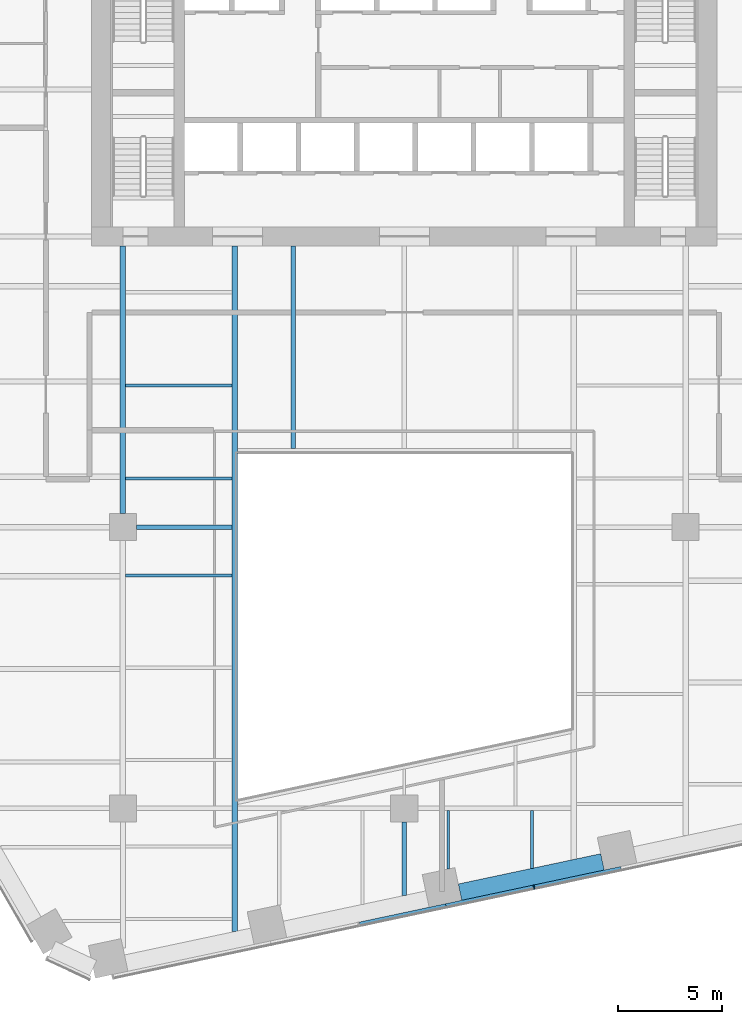
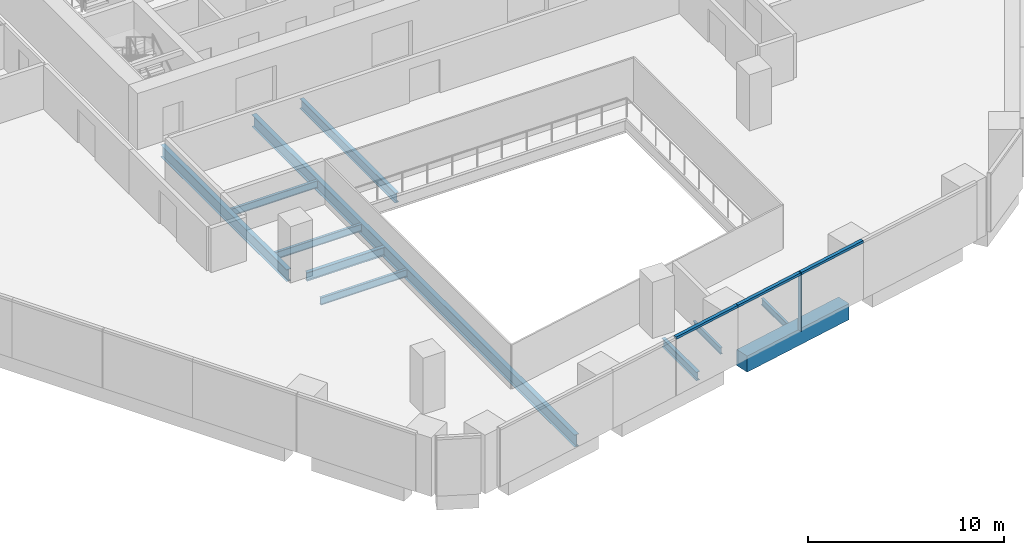
# One storey, part 4 of 19: 11 beams, 4 members, 1 element without a shape of its own.
"""IFC4 building model written with IfcOpenShell, lengths in metres."""

from ifc_helpers import new_model, si_unit, direction, frame, origin, origin_2d, place, context, subcontext, project, spatial, rectangle, i_section, extrude, material, layer, layer_set, material_profile, profile_set, type_object, element, aggregate, save


model = new_model("IFC4")

# Units and contexts
model_context = context("Model", 3, precision=1e-05, world=origin(), true_north=direction((0.0, 1.0)))
body_context = subcontext(model_context, "Body", "Model", "MODEL_VIEW")
ifc_project = project(units=[si_unit("LENGTHUNIT", "METRE"), si_unit("AREAUNIT", "SQUARE_METRE"), si_unit("VOLUMEUNIT", "CUBIC_METRE"), si_unit("PLANEANGLEUNIT", "RADIAN"), si_unit("MASSUNIT", "GRAM", prefix="KILO")], contexts=[model_context])

# Site, building, storey
site_placement = place(None, origin())
site = spatial("IfcSite", under=ifc_project, at=site_placement, CompositionType="ELEMENT")
building_placement = place(site_placement, origin())
building = spatial("IfcBuilding", under=site, at=building_placement, Name="Isthmus Gate Tower", CompositionType="ELEMENT")
storey_placement = place(building_placement, frame((0.0, 0.0, 91.60009765625)))
storey = spatial("IfcBuildingStorey", under=building, at=storey_placement, Name="L21", CompositionType="ELEMENT", Elevation=91.60009765625)

# Curtain wall, members
ifc_material_1 = material(Name="Aluminium, pale champagne anodised", Category="aluminium")
ifc_layer = layer(ifc_material_1, 0.199951171875)
ifc_layer_set = layer_set([ifc_layer], Name="CW-1 UNITISED CURTAIN WALL 200 DEEP")
curtain_wall_type = type_object("IfcCurtainWallType", Name="CW-1 UNITISED CURTAIN WALL 200 DEEP", PredefinedType="NOTDEFINED", material=ifc_layer_set)
curtain_wall_placement = place(storey_placement, origin())
curtain_wall = element("IfcCurtainWall", 1, at=curtain_wall_placement, inside=storey, type_object=curtain_wall_type, Name="CW-1 S L21", PredefinedType="NOTDEFINED")
ifc_material_2 = material(Name="Aluminium, pale champagne anodised", Category="aluminium")
ifc_material_profile_1 = material_profile(ifc_material_2, rectangle(XDim=0.06005859375, YDim=0.199951171875, at=origin_2d()), Name="60x200")
ifc_profile_set_1 = profile_set([ifc_material_profile_1], Name="Aluminium, pale champagne anodised")
member_type_1 = type_object("IfcMemberType", Name="CW-1 MULLION 60 X 200", PredefinedType="MULLION", material=ifc_profile_set_1)
member_1_placement = place(storey_placement, frame((6.228759765625, -30.7783203125, 0.0), z_axis=(0.0, 0.0, 1.0), x_axis=(0.978147600734, 0.207911690818, 0.0)))
member_1 = element("IfcMember", 2, at=member_1_placement, type_object=member_type_1, Name="CW-1 mullion", PredefinedType="MULLION", context=body_context, shape_type="SweptSolid", body=[
    extrude(rectangle(XDim=0.06005859375, YDim=0.199951171875, at=origin_2d()), origin(), (0.0, 0.0, 1.0), 3.64990234375),
])
ifc_material_3 = material(Name="Aluminium, pale champagne anodised", Category="aluminium")
ifc_material_profile_2 = material_profile(ifc_material_3, rectangle(XDim=0.199951171875, YDim=0.14990234375, at=origin_2d()), Name="200x150")
ifc_profile_set_2 = profile_set([ifc_material_profile_2], Name="Aluminium, pale champagne anodised")
member_type_2 = type_object("IfcMemberType", Name="CW-1 TRANSOM 200 X 150", PredefinedType="USERDEFINED", material=ifc_profile_set_2)
member_2_placement = place(storey_placement, frame((-2.1435546875, -32.557861328125, 3.574951171875), z_axis=(0.978150351608, 0.20789874855, 0.0), x_axis=(-0.20789874855, 0.978150351608, 0.0)))
member_2 = element("IfcMember", 3, at=member_2_placement, type_object=member_type_2, Name="CW-1 transom", ObjectType="TRANSOM", PredefinedType="USERDEFINED", context=body_context, shape_type="SweptSolid", body=[
    extrude(rectangle(XDim=0.199951171875, YDim=0.14990234375, at=origin_2d()), origin(), (0.0, 0.0, 1.0), 4.234619140625),
])
member_3_placement = place(storey_placement, frame((1.99853515625, -31.677490234375, 3.574951171875), z_axis=(0.97813890815, 0.207952582007, 0.0), x_axis=(-0.207952582007, 0.97813890815, 0.0)))
member_3 = element("IfcMember", 4, at=member_3_placement, type_object=member_type_2, Name="CW-1 transom", ObjectType="TRANSOM", PredefinedType="USERDEFINED", context=body_context, shape_type="SweptSolid", body=[
    extrude(rectangle(XDim=0.199951171875, YDim=0.14990234375, at=origin_2d()), origin(), (0.0, 0.0, 1.0), 4.294677734375),
])
member_4_placement = place(storey_placement, frame((6.258056640625, -30.77197265625, 3.574951171875), z_axis=(0.978150351608, 0.20789874855, 0.0), x_axis=(-0.20789874855, 0.978150351608, 0.0)))
member_4 = element("IfcMember", 5, at=member_4_placement, type_object=member_type_2, Name="CW-1 transom", ObjectType="TRANSOM", PredefinedType="USERDEFINED", context=body_context, shape_type="SweptSolid", body=[
    extrude(rectangle(XDim=0.199951171875, YDim=0.14990234375, at=origin_2d()), origin(), (0.0, 0.0, 1.0), 4.234619140625),
])
aggregate(curtain_wall, [member_2, member_3, member_1, member_4])

# Beams
ifc_material_4 = material(Name="Concrete f'c 70 MPa", Category="concrete")
ifc_material_profile_3 = material_profile(ifc_material_4, rectangle(XDim=0.800048828125, YDim=1.0, at=origin_2d()), Name="RC 800X1000")
ifc_profile_set_3 = profile_set([ifc_material_profile_3], Name="Concrete f'c 70 MPa")
beam_type_1 = type_object("IfcBeamType", Name="RC SPANDREL 800 X 1000", PredefinedType="SPANDREL", material=ifc_profile_set_3)
beam_1_placement = place(storey_placement, frame((9.513671875, -29.56884765625, -0.5), z_axis=(-0.978149173437, -0.207904291694, 0.0), x_axis=(0.207904291694, -0.978149173437, 0.0)))
element("IfcBeam", 6, at=beam_1_placement, inside=storey, type_object=beam_type_1, Name="str-spandrel-L21-11", PredefinedType="SPANDREL", context=body_context, shape_type="SweptSolid", body=[
    extrude(rectangle(XDim=0.800048828125, YDim=1.0, at=origin_2d()), origin(), (0.0, 0.0, 1.0), 6.989501953125),
])
ifc_material_5 = material(Name="Structural steel ASTM A992 Gr 50", Category="steel")
ifc_material_profile_4 = material_profile(ifc_material_5, i_section(OverallWidth=0.1396484375, OverallDepth=0.4033203125, WebThickness=0.00634765625, FlangeThickness=0.010986328125, at=origin_2d()), Name="W16X31")
ifc_profile_set_4 = profile_set([ifc_material_profile_4], Name="Structural steel ASTM A992 Gr 50")
beam_type_2 = type_object("IfcBeamType", Name="STEEL FLOOR BEAM W16X31", PredefinedType="JOIST", material=ifc_profile_set_4)
beam_2_placement = place(storey_placement, frame((2.111572265625, -29.91552734375, -0.351806640625), z_axis=(0.0, 1.0, 0.0), x_axis=(-1.0, 0.0, 0.0)))
element("IfcBeam", 7, at=beam_2_placement, inside=storey, type_object=beam_type_2, Name="str-beam-L21-19-00", PredefinedType="JOIST", context=body_context, shape_type="SweptSolid", body=[
    extrude(i_section(OverallWidth=0.1396484375, OverallDepth=0.4033203125, WebThickness=0.00634765625, FlangeThickness=0.010986328125, at=origin_2d()), origin(), (0.0, 0.0, 1.0), 2.80126953125),
])
beam_3_placement = place(storey_placement, frame((6.125, -29.880126953125, -0.351806640625), z_axis=(0.0, 1.0, 0.0), x_axis=(-1.0, 0.0, 0.0)))
element("IfcBeam", 8, at=beam_3_placement, inside=storey, type_object=beam_type_2, Name="str-beam-L21-19-01", PredefinedType="JOIST", context=body_context, shape_type="SweptSolid", body=[
    extrude(i_section(OverallWidth=0.1396484375, OverallDepth=0.4033203125, WebThickness=0.00634765625, FlangeThickness=0.010986328125, at=origin_2d()), origin(), (0.0, 0.0, 1.0), 2.765869140625),
])
ifc_material_6 = material(Name="Structural steel ASTM A992 Gr 50", Category="steel")
ifc_material_profile_5 = material_profile(ifc_material_6, i_section(OverallWidth=0.15234375, OverallDepth=0.45068359375, WebThickness=0.0078125, FlangeThickness=0.010986328125, at=origin_2d()), Name="W18X35")
ifc_profile_set_5 = profile_set([ifc_material_profile_5], Name="Structural steel ASTM A992 Gr 50")
beam_type_3 = type_object("IfcBeamType", Name="STEEL FLOOR BEAM W18X35", PredefinedType="JOIST", material=ifc_profile_set_5)
for number, where, z_axis, x_axis, name in (
    (9, (-13.3681640625, -11.16259765625, -0.37548828125), (1.0, 0.0, 0.0), (0.0, 1.0, 0.0), "str-beam-L21-12-00"),
    (10, (-13.3681640625, -6.697509765625, -0.37548828125), (1.0, 0.0, 0.0), (0.0, 1.0, 0.0), "str-beam-L21-12-01"),
    (11, (-13.3681640625, -15.81982421875, -0.37548828125), (1.0, 0.0, 0.0), (0.0, 1.0, 0.0), "str-beam-L21-13-02"),
):
    element("IfcBeam", number, at=place(storey_placement, frame(where, z_axis=z_axis, x_axis=x_axis)), inside=storey, type_object=beam_type_3, Name=name, PredefinedType="JOIST", context=body_context, shape_type="SweptSolid", body=[
        extrude(i_section(OverallWidth=0.15234375, OverallDepth=0.45068359375, WebThickness=0.0078125, FlangeThickness=0.010986328125, at=origin_2d()), origin(), (0.0, 0.0, 1.0), 5.1015625),
    ])
ifc_material_7 = material(Name="Structural steel ASTM A992 Gr 50", Category="steel")
ifc_material_profile_6 = material_profile(ifc_material_7, i_section(OverallWidth=0.228515625, OverallDepth=0.603271484375, WebThickness=0.010986328125, FlangeThickness=0.014404296875, at=origin_2d()), Name="W24X68")
ifc_profile_set_6 = profile_set([ifc_material_profile_6], Name="Structural steel ASTM A992 Gr 50")
beam_type_4 = type_object("IfcBeamType", Name="STEEL FLOOR BEAM W24X68", PredefinedType="JOIST", material=ifc_profile_set_6)
beam_4_placement = place(storey_placement, frame((-5.333251953125, -9.7333984375, -0.45166015625), z_axis=(0.0, 1.0, 0.0), x_axis=(-1.0, 0.0, 0.0)))
element("IfcBeam", 12, at=beam_4_placement, inside=storey, type_object=beam_type_4, Name="str-beam-L21-17-00", PredefinedType="JOIST", context=body_context, shape_type="SweptSolid", body=[
    extrude(i_section(OverallWidth=0.228515625, OverallDepth=0.603271484375, WebThickness=0.010986328125, FlangeThickness=0.014404296875, at=origin_2d()), origin(), (0.0, 0.0, 1.0), 9.7333984375),
])
ifc_material_8 = material(Name="Structural steel ASTM A992 Gr 50", Category="steel")
ifc_material_profile_7 = material_profile(ifc_material_8, i_section(OverallWidth=0.20947265625, OverallDepth=0.533447265625, WebThickness=0.009521484375, FlangeThickness=0.015869140625, at=origin_2d()), Name="W21X62")
ifc_profile_set_7 = profile_set([ifc_material_profile_7], Name="Structural steel ASTM A992 Gr 50")
beam_type_5 = type_object("IfcBeamType", Name="STEEL GIRDER W21X62", PredefinedType="BEAM", material=ifc_profile_set_7)
beam_5_placement = place(storey_placement, frame((-12.85009765625, -13.5, -0.416748046875), z_axis=(1.0, 0.0, 0.0), x_axis=(0.0, 1.0, 0.0)))
element("IfcBeam", 13, at=beam_5_placement, inside=storey, type_object=beam_type_5, Name="str-girder-L21-06", PredefinedType="BEAM", context=body_context, shape_type="SweptSolid", body=[
    extrude(i_section(OverallWidth=0.20947265625, OverallDepth=0.533447265625, WebThickness=0.009521484375, FlangeThickness=0.015869140625, at=origin_2d()), origin(), (0.0, 0.0, 1.0), 4.58349609375),
])
beam_6_placement = place(storey_placement, frame((0.0, -31.18212890625, -0.416748046875), z_axis=(0.0, 1.0, 0.0), x_axis=(-1.0, 0.0, 0.0)))
element("IfcBeam", 14, at=beam_6_placement, inside=storey, type_object=beam_type_5, Name="str-girder-L21-29", PredefinedType="BEAM", context=body_context, shape_type="SweptSolid", body=[
    extrude(i_section(OverallWidth=0.20947265625, OverallDepth=0.533447265625, WebThickness=0.009521484375, FlangeThickness=0.015869140625, at=origin_2d()), origin(), (0.0, 0.0, 1.0), 3.5322265625),
])
ifc_material_9 = material(Name="Structural steel ASTM A992 Gr 50", Category="steel")
ifc_material_profile_8 = material_profile(ifc_material_9, i_section(OverallWidth=0.263427734375, OverallDepth=0.749267578125, WebThickness=0.0126953125, FlangeThickness=0.015869140625, at=origin_2d()), Name="W30X90")
ifc_profile_set_8 = profile_set([ifc_material_profile_8], Name="Structural steel ASTM A992 Gr 50")
beam_type_6 = type_object("IfcBeamType", Name="STEEL GIRDER W30X90", PredefinedType="BEAM", material=ifc_profile_set_8)
beam_7_placement = place(storey_placement, frame((-13.5, -12.85009765625, -0.524658203125), z_axis=(0.0, 1.0, 0.0), x_axis=(-1.0, 0.0, 0.0)))
element("IfcBeam", 15, at=beam_7_placement, inside=storey, type_object=beam_type_6, Name="str-girder-L21-26", PredefinedType="BEAM", context=body_context, shape_type="SweptSolid", body=[
    extrude(i_section(OverallWidth=0.263427734375, OverallDepth=0.749267578125, WebThickness=0.0126953125, FlangeThickness=0.015869140625, at=origin_2d()), origin(), (0.0, 0.0, 1.0), 12.85009765625),
])
ifc_material_10 = material(Name="Structural steel ASTM A992 Gr 50", Category="steel")
ifc_material_profile_9 = material_profile(ifc_material_10, i_section(OverallWidth=0.2666015625, OverallDepth=0.7587890625, WebThickness=0.014404296875, FlangeThickness=0.01904296875, at=origin_2d()), Name="W30X108")
ifc_profile_set_9 = profile_set([ifc_material_profile_9], Name="Structural steel ASTM A992 Gr 50")
beam_type_7 = type_object("IfcBeamType", Name="STEEL TRIMMER W30X108", PredefinedType="BEAM", material=ifc_profile_set_9)
beam_8_placement = place(storey_placement, frame((-8.13330078125, 0.0, -0.529541015625), z_axis=(0.0, -1.0, 0.0), x_axis=(1.0, 0.0, 0.0)))
element("IfcBeam", 16, at=beam_8_placement, inside=storey, type_object=beam_type_7, Name="str-trimmer-L21-02", PredefinedType="BEAM", context=body_context, shape_type="SweptSolid", body=[
    extrude(i_section(OverallWidth=0.2666015625, OverallDepth=0.7587890625, WebThickness=0.014404296875, FlangeThickness=0.01904296875, at=origin_2d()), origin(), (0.0, 0.0, 1.0), 32.910888671875),
])

save(model, "model.ifc")
